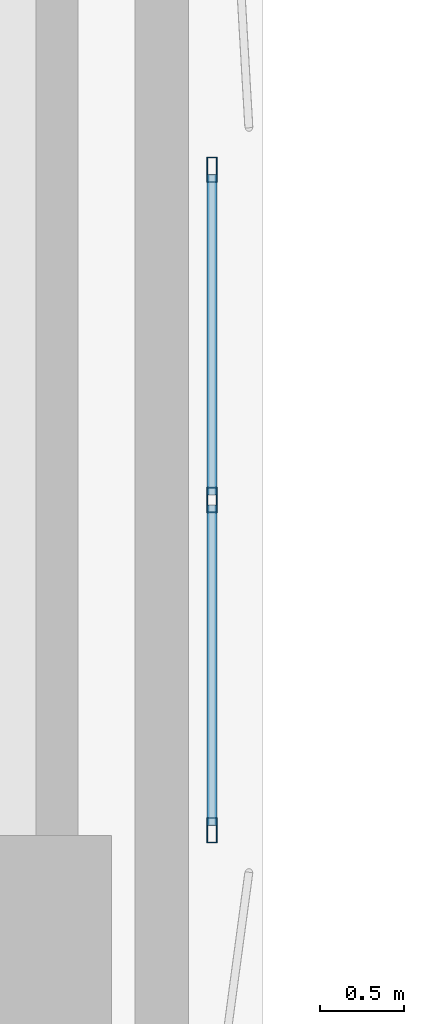
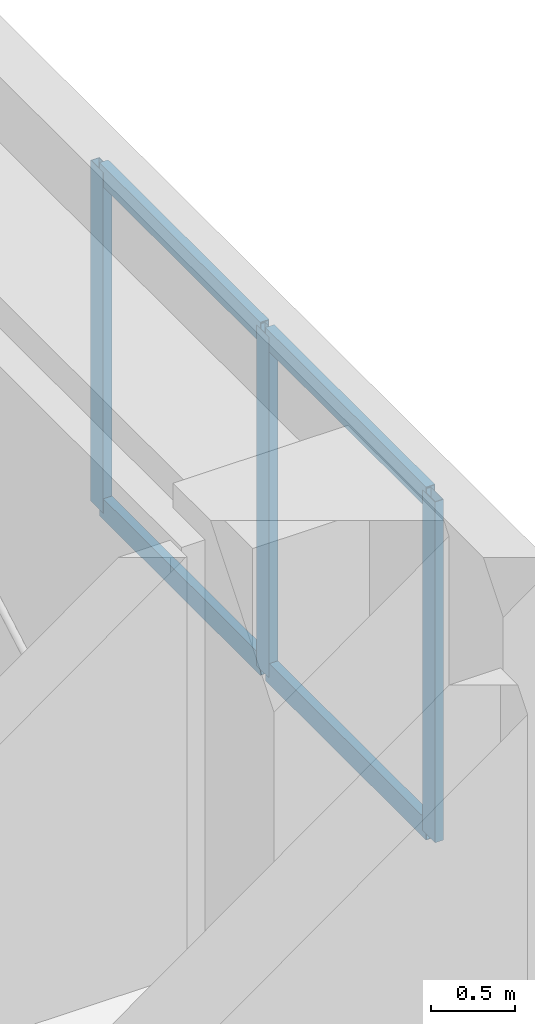
# One storey, part 2 of 14: 7 members, 1 element without a shape of its own.
"""IFC4 building model written with IfcOpenShell, lengths in metres."""

from ifc_helpers import new_model, si_unit, direction, frame, origin, origin_2d, place, context, subcontext, project, spatial, hollow_rectangle, extrude, material, material_profile, profile_set, type_object, element, aggregate, save


model = new_model("IFC4")

# Units and contexts
model_context = context("Model", 3, precision=1e-05, world=origin(), true_north=direction((0.0, 1.0)))
body_context = subcontext(model_context, "Body", "Model", "MODEL_VIEW")
ifc_project = project(units=[si_unit("LENGTHUNIT", "METRE"), si_unit("AREAUNIT", "SQUARE_METRE"), si_unit("VOLUMEUNIT", "CUBIC_METRE"), si_unit("PLANEANGLEUNIT", "RADIAN"), si_unit("MASSUNIT", "GRAM", prefix="KILO")], contexts=[model_context])

# Site, building, storey
site_placement = place(None, origin())
site = spatial("IfcSite", under=ifc_project, at=site_placement, CompositionType="ELEMENT")
building_placement = place(site_placement, origin())
building = spatial("IfcBuilding", under=site, at=building_placement, Name="Kuzgunbayir Cultural Tower", CompositionType="ELEMENT")
storey_placement = place(building_placement, frame((0.0, 0.0, 33.39990234375)))
storey = spatial("IfcBuildingStorey", under=building, at=storey_placement, Name="L08", CompositionType="ELEMENT", Elevation=33.39990234375)

# Curtain wall, members
ifc_material = material(Name="Anodised Aluminium Framing", Category="aluminium")
curtain_wall_type = type_object("IfcCurtainWallType", Name="CW02-PORTAL-SOFFIT", PredefinedType="NOTDEFINED", material=ifc_material)
curtain_wall_placement = place(storey_placement, origin())
curtain_wall = element("IfcCurtainWall", 1, at=curtain_wall_placement, inside=storey, type_object=curtain_wall_type, Name="L08 Void-Portal West Jamb Curtain Wall", PredefinedType="NOTDEFINED")
ifc_material_profile_1 = material_profile(ifc_material, hollow_rectangle(XDim=0.06005859375, YDim=0.14990234375, WallThickness=0.00390625, at=origin_2d()), Name="RHS 150x60x4")
ifc_profile_set_1 = profile_set([ifc_material_profile_1], Name="Anodised Aluminium Framing")
member_type_1 = type_object("IfcMemberType", Name="MEM-CW-MULLION-150", PredefinedType="MULLION", material=ifc_profile_set_1)
member_1_placement = place(storey_placement, frame((28.10009765625, 34.429931640625, 0.0), z_axis=(0.0, 0.0, 1.0), x_axis=(-1.0, 0.0, 0.0)))
member_1 = element("IfcMember", 2, at=member_1_placement, type_object=member_type_1, Name="CW02 mullion 1", PredefinedType="MULLION", context=body_context, shape_type="SweptSolid", body=[
    extrude(hollow_rectangle(XDim=0.06005859375, YDim=0.14990234375, WallThickness=0.00390625, at=origin_2d()), origin(), (0.0, 0.0, 1.0), 2.47021484375),
])
member_2_placement = place(storey_placement, frame((28.10009765625, 36.39990234375, 0.0), z_axis=(0.0, 0.0, 1.0), x_axis=(-1.0, 0.0, 0.0)))
member_2 = element("IfcMember", 3, at=member_2_placement, type_object=member_type_1, Name="CW02 mullion 2", PredefinedType="MULLION", context=body_context, shape_type="SweptSolid", body=[
    extrude(hollow_rectangle(XDim=0.06005859375, YDim=0.14990234375, WallThickness=0.00390625, at=origin_2d()), origin(), (0.0, 0.0, 1.0), 2.47021484375),
])
member_3_placement = place(storey_placement, frame((28.10009765625, 38.3701171875, 0.0), z_axis=(0.0, 0.0, 1.0), x_axis=(-1.0, 0.0, 0.0)))
member_3 = element("IfcMember", 4, at=member_3_placement, type_object=member_type_1, Name="CW02 mullion 3", PredefinedType="MULLION", context=body_context, shape_type="SweptSolid", body=[
    extrude(hollow_rectangle(XDim=0.06005859375, YDim=0.14990234375, WallThickness=0.00390625, at=origin_2d()), origin(), (0.0, 0.0, 1.0), 2.47021484375),
])
ifc_material_profile_2 = material_profile(ifc_material, hollow_rectangle(XDim=0.06005859375, YDim=0.14990234375, WallThickness=0.00390625, at=origin_2d()), Name="RHS 150x60x4")
ifc_profile_set_2 = profile_set([ifc_material_profile_2], Name="Anodised Aluminium Framing")
member_type_2 = type_object("IfcMemberType", Name="MEM-CW-TRANSOM-150", PredefinedType="USERDEFINED", material=ifc_profile_set_2)
member_4_placement = place(storey_placement, frame((28.10009765625, 34.4599609375, 0.030029296875), z_axis=(0.0, 1.0, 0.0), x_axis=(-1.0, 0.0, 0.0)))
member_4 = element("IfcMember", 5, at=member_4_placement, type_object=member_type_2, Name="CW02 transom 1.1", ObjectType="TRANSOM", PredefinedType="USERDEFINED", context=body_context, shape_type="SweptSolid", body=[
    extrude(hollow_rectangle(XDim=0.06005859375, YDim=0.14990234375, WallThickness=0.00390625, at=origin_2d()), origin(), (0.0, 0.0, 1.0), 1.91015625),
])
member_5_placement = place(storey_placement, frame((28.10009765625, 34.4599609375, 2.440185546875), z_axis=(0.0, 1.0, 0.0), x_axis=(-1.0, 0.0, 0.0)))
member_5 = element("IfcMember", 6, at=member_5_placement, type_object=member_type_2, Name="CW02 transom 1.2", ObjectType="TRANSOM", PredefinedType="USERDEFINED", context=body_context, shape_type="SweptSolid", body=[
    extrude(hollow_rectangle(XDim=0.06005859375, YDim=0.14990234375, WallThickness=0.00390625, at=origin_2d()), origin(), (0.0, 0.0, 1.0), 1.91015625),
])
member_6_placement = place(storey_placement, frame((28.10009765625, 36.429931640625, 0.030029296875), z_axis=(0.0, 1.0, 0.0), x_axis=(-1.0, 0.0, 0.0)))
member_6 = element("IfcMember", 7, at=member_6_placement, type_object=member_type_2, Name="CW02 transom 2.1", ObjectType="TRANSOM", PredefinedType="USERDEFINED", context=body_context, shape_type="SweptSolid", body=[
    extrude(hollow_rectangle(XDim=0.06005859375, YDim=0.14990234375, WallThickness=0.00390625, at=origin_2d()), origin(), (0.0, 0.0, 1.0), 1.91015625),
])
member_7_placement = place(storey_placement, frame((28.10009765625, 36.429931640625, 2.440185546875), z_axis=(0.0, 1.0, 0.0), x_axis=(-1.0, 0.0, 0.0)))
member_7 = element("IfcMember", 8, at=member_7_placement, type_object=member_type_2, Name="CW02 transom 2.2", ObjectType="TRANSOM", PredefinedType="USERDEFINED", context=body_context, shape_type="SweptSolid", body=[
    extrude(hollow_rectangle(XDim=0.06005859375, YDim=0.14990234375, WallThickness=0.00390625, at=origin_2d()), origin(), (0.0, 0.0, 1.0), 1.91015625),
])
aggregate(curtain_wall, [member_1, member_2, member_3, member_4, member_5, member_6, member_7])

save(model, "model.ifc")
